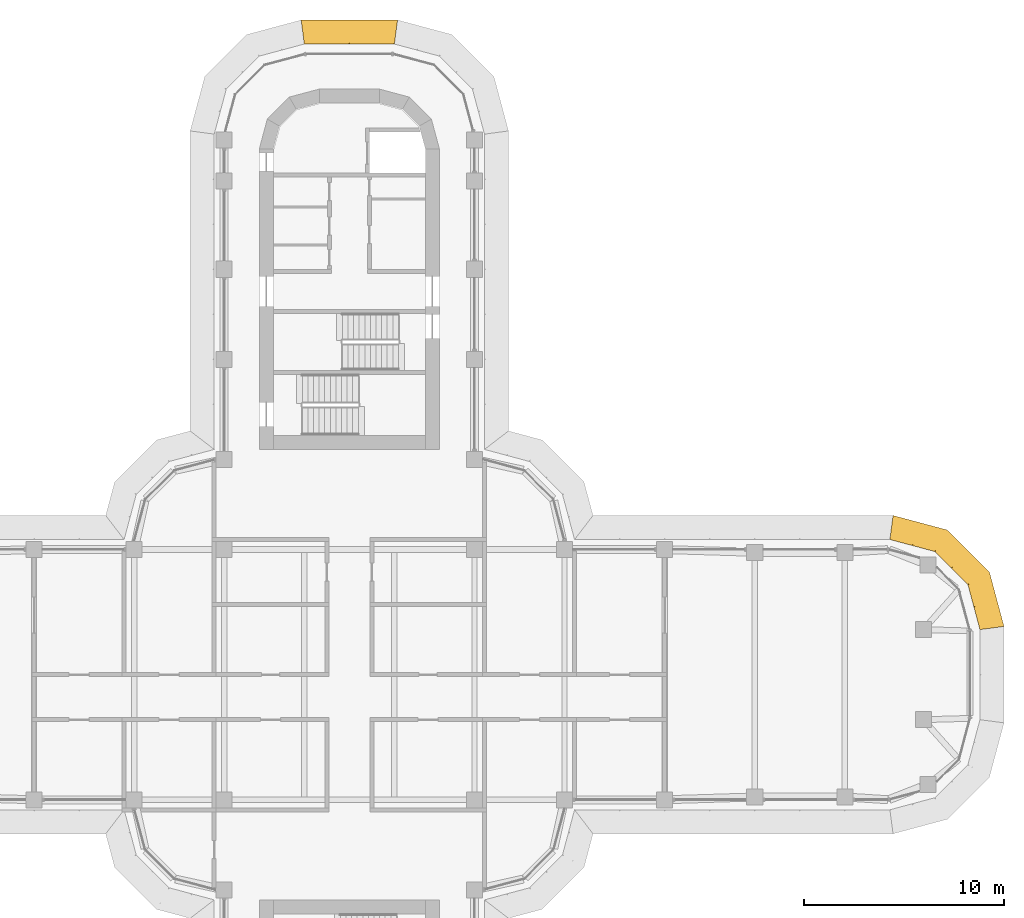
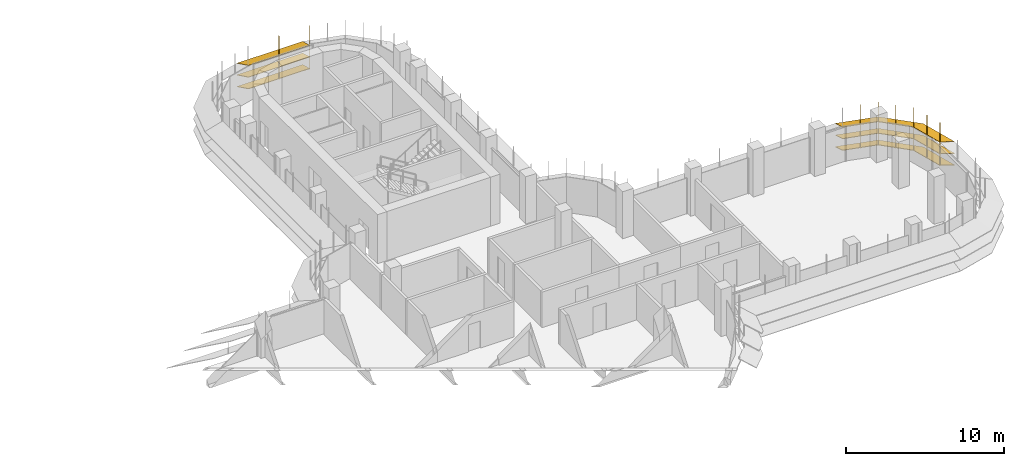
# One storey, part 20 of 20: 2 shading devices.
"""IFC4 building model written with IfcOpenShell, lengths in metres."""

from ifc_helpers import new_model, si_unit, direction, frame, origin, place, context, subcontext, project, spatial, polyline, outline, extrude, faceted_brep, source, transform, mapped, material, type_object, element, save


model = new_model("IFC4")

# Units and contexts
model_context = context("Model", 3, precision=1e-05, world=origin(), true_north=direction((0.0, 1.0)))
body_context = subcontext(model_context, "Body", "Model", "MODEL_VIEW")
ifc_project = project(units=[si_unit("LENGTHUNIT", "METRE"), si_unit("AREAUNIT", "SQUARE_METRE"), si_unit("VOLUMEUNIT", "CUBIC_METRE"), si_unit("PLANEANGLEUNIT", "RADIAN"), si_unit("MASSUNIT", "GRAM", prefix="KILO")], contexts=[model_context])

# Site, building, storey
site_placement = place(None, origin())
site = spatial("IfcSite", under=ifc_project, at=site_placement, CompositionType="ELEMENT")
building_placement = place(site_placement, origin())
building = spatial("IfcBuilding", under=site, at=building_placement, Name="Zarbagh Exchange Tower", CompositionType="ELEMENT")
storey_placement = place(building_placement, frame((0.0, 0.0, 163.800048828125)))
storey = spatial("IfcBuildingStorey", under=building, at=storey_placement, Name="L39", CompositionType="ELEMENT", Elevation=163.800048828125)

# Shading devices
ifc_material = material(Name="Anodised aluminium blades and brackets", Category="aluminium")
shading_device_type = type_object("IfcShadingDeviceType", Name="SUNSHADE louvre band, 22.5 degree blades", PredefinedType="JALOUSIE", material=ifc_material)
shared_shape_1 = source(origin(), body_context, "Body", "Brep", [
    faceted_brep([(0.0, 0.0, 0.0), (0.0, 0.0, -0.043212890625), (-0.157958984375, -1.199951171875, -0.540283203125), (-0.157958984375, -1.199951171875, -0.4970703125), (2.65087890625, -1.199951171875, -0.4970703125), (2.65087890625, -1.199951171875, -0.540283203125), (2.329345703125, 0.0, -0.043212890625), (2.329345703125, 0.0, 0.0)], [[[0, 1, 2, 3]], [[4, 5, 6, 7]], [[0, 7, 6, 1]], [[1, 6, 5, 2]], [[2, 5, 4, 3]], [[3, 4, 7, 0]]]),
])
shared_shape_2 = source(origin(), body_context, "Body", "Brep", [
    faceted_brep([(0.0, 0.0, 0.0), (0.0, 0.0, -0.043212890625), (-0.321533203125, -1.199951171875, -0.540283203125), (-0.321533203125, -1.199951171875, -0.4970703125), (2.65087890625, -1.199951171875, -0.4970703125), (2.65087890625, -1.199951171875, -0.540283203125), (2.329345703125, 0.0, -0.043212890625), (2.329345703125, 0.0, 0.0)], [[[0, 1, 2, 3]], [[4, 5, 6, 7]], [[0, 7, 6, 1]], [[1, 6, 5, 2]], [[2, 5, 4, 3]], [[3, 4, 7, 0]]]),
])
shared_shape_3 = source(origin(), body_context, "Body", "Brep", [
    faceted_brep([(0.0, 0.0, 0.0), (0.0, 0.0, -0.043212890625), (-0.321533203125, -1.199951171875, -0.540283203125), (-0.321533203125, -1.199951171875, -0.4970703125), (2.4873046875, -1.199951171875, -0.4970703125), (2.4873046875, -1.199951171875, -0.540283203125), (2.329345703125, 0.0, -0.043212890625), (2.329345703125, 0.0, 0.0)], [[[0, 1, 2, 3]], [[4, 5, 6, 7]], [[0, 7, 6, 1]], [[1, 6, 5, 2]], [[2, 5, 4, 3]], [[3, 4, 7, 0]]]),
])
shared_shape_4 = source(origin(), body_context, "Body", "SweptSolid", [
    extrude(outline(polyline([(0.0, -0.012451171875), (0.06005859375, -0.012451171875), (0.06005859375, 0.012451171875), (0.0, 0.012451171875), (0.0, -0.012451171875)])), origin(), (0.0, 0.0, 1.0), 3.353271484375),
])
placement = place(storey_placement, origin())
element("IfcShadingDevice", 1, at=placement, inside=storey, type_object=shading_device_type, Name="SS33 sunshade band", PredefinedType="JALOUSIE", context=body_context, shape_type="MappedRepresentation", body=[
    mapped(shared_shape_1, transform((31.5, 2.25, 2.300048828125), x_axis=(-0.258824779902, 0.965924289636, 0.0), y_axis=(-0.965924289636, -0.258824779902, 0.0), z_axis=(0.0, 0.0, 1.0))),
    mapped(shared_shape_1, transform((31.5, 2.25, 1.39990234375), x_axis=(-0.258824779902, 0.965924289636, 0.0), y_axis=(-0.965924289636, -0.258824779902, 0.0), z_axis=(0.0, 0.0, 1.0))),
    mapped(shared_shape_1, transform((31.5, 2.25, 0.5), x_axis=(-0.258824779902, 0.965924289636, 0.0), y_axis=(-0.965924289636, -0.258824779902, 0.0), z_axis=(0.0, 0.0, 1.0))),
    mapped(shared_shape_2, transform((30.897216796875, 4.5, 2.300048828125), x_axis=(-0.707106781187, 0.707106781187, 0.0), y_axis=(-0.707106781187, -0.707106781187, 0.0), z_axis=(0.0, 0.0, 1.0))),
    mapped(shared_shape_2, transform((30.897216796875, 4.5, 1.39990234375), x_axis=(-0.707106781187, 0.707106781187, 0.0), y_axis=(-0.707106781187, -0.707106781187, 0.0), z_axis=(0.0, 0.0, 1.0))),
    mapped(shared_shape_2, transform((30.897216796875, 4.5, 0.5), x_axis=(-0.707106781187, 0.707106781187, 0.0), y_axis=(-0.707106781187, -0.707106781187, 0.0), z_axis=(0.0, 0.0, 1.0))),
    mapped(shared_shape_3, transform((29.25, 6.147216796875, 2.300048828125), x_axis=(-0.965924289636, 0.258824779902, 0.0), y_axis=(-0.258824779902, -0.965924289636, 0.0), z_axis=(0.0, 0.0, 1.0))),
    mapped(shared_shape_3, transform((29.25, 6.147216796875, 1.39990234375), x_axis=(-0.965924289636, 0.258824779902, 0.0), y_axis=(-0.258824779902, -0.965924289636, 0.0), z_axis=(0.0, 0.0, 1.0))),
    mapped(shared_shape_3, transform((29.25, 6.147216796875, 0.5), x_axis=(-0.965924289636, 0.258824779902, 0.0), y_axis=(-0.258824779902, -0.965924289636, 0.0), z_axis=(0.0, 0.0, 1.0))),
    mapped(shared_shape_4, transform((31.5, 2.25, 0.4267578125), x_axis=(0.991444457092, 0.130529263012, 0.0), y_axis=(-0.130529263012, 0.991444457092, 0.0), z_axis=(0.0, 0.0, 1.0))),
    mapped(shared_shape_4, transform((31.198486328125, 3.375, 0.4267578125), x_axis=(0.96592421511, 0.258825058029, 0.0), y_axis=(-0.258825058029, 0.96592421511, 0.0), z_axis=(0.0, 0.0, 1.0))),
    mapped(shared_shape_4, transform((30.897216796875, 4.5, 0.4267578125), x_axis=(0.866023812018, 0.50000275701, 0.0), y_axis=(-0.50000275701, 0.866023812018, 0.0), z_axis=(0.0, 0.0, 1.0))),
    mapped(shared_shape_4, transform((30.073486328125, 5.323486328125, 0.4267578125), x_axis=(0.707106781187, 0.707106781187, 0.0), y_axis=(-0.707106781187, 0.707106781187, 0.0), z_axis=(0.0, 0.0, 1.0))),
    mapped(shared_shape_4, transform((29.25, 6.147216796875, 0.4267578125), x_axis=(0.50000275701, 0.866023812018, 0.0), y_axis=(-0.866023812018, 0.50000275701, 0.0), z_axis=(0.0, 0.0, 1.0))),
    mapped(shared_shape_4, transform((28.125, 6.448486328125, 0.4267578125), x_axis=(0.258825058029, 0.96592421511, 0.0), y_axis=(-0.96592421511, 0.258825058029, 0.0), z_axis=(0.0, 0.0, 1.0))),
])
shared_shape_5 = source(origin(), body_context, "Body", "Brep", [
    faceted_brep([(0.0, 0.0, 0.0), (0.0, 0.0, -0.043212890625), (-0.157958984375, -1.199951171875, -0.540283203125), (-0.157958984375, -1.199951171875, -0.4970703125), (4.657958984375, -1.199951171875, -0.4970703125), (4.657958984375, -1.199951171875, -0.540283203125), (4.5, 0.0, -0.043212890625), (4.5, 0.0, 0.0)], [[[0, 1, 2, 3]], [[4, 5, 6, 7]], [[0, 7, 6, 1]], [[1, 6, 5, 2]], [[2, 5, 4, 3]], [[3, 4, 7, 0]]]),
])
element("IfcShadingDevice", 2, at=placement, inside=storey, type_object=shading_device_type, Name="SS27 sunshade band", PredefinedType="JALOUSIE", context=body_context, shape_type="MappedRepresentation", body=[
    mapped(shared_shape_5, transform((2.25, 31.5, 2.300048828125), x_axis=(-1.0, 0.0, 0.0), y_axis=(0.0, -1.0, 0.0), z_axis=(0.0, 0.0, 1.0))),
    mapped(shared_shape_5, transform((2.25, 31.5, 1.39990234375), x_axis=(-1.0, 0.0, 0.0), y_axis=(0.0, -1.0, 0.0), z_axis=(0.0, 0.0, 1.0))),
    mapped(shared_shape_5, transform((2.25, 31.5, 0.5), x_axis=(-1.0, 0.0, 0.0), y_axis=(0.0, -1.0, 0.0), z_axis=(0.0, 0.0, 1.0))),
    mapped(shared_shape_4, transform((2.25, 31.5, 0.4267578125), x_axis=(0.130529263012, 0.991444457092, 0.0), y_axis=(-0.991444457092, 0.130529263012, 0.0), z_axis=(0.0, 0.0, 1.0))),
    mapped(shared_shape_4, transform((0.0, 31.5, 0.4267578125), x_axis=(0.0, 1.0, 0.0), y_axis=(-1.0, 0.0, 0.0), z_axis=(0.0, 0.0, 1.0))),
])

save(model, "model.ifc")
